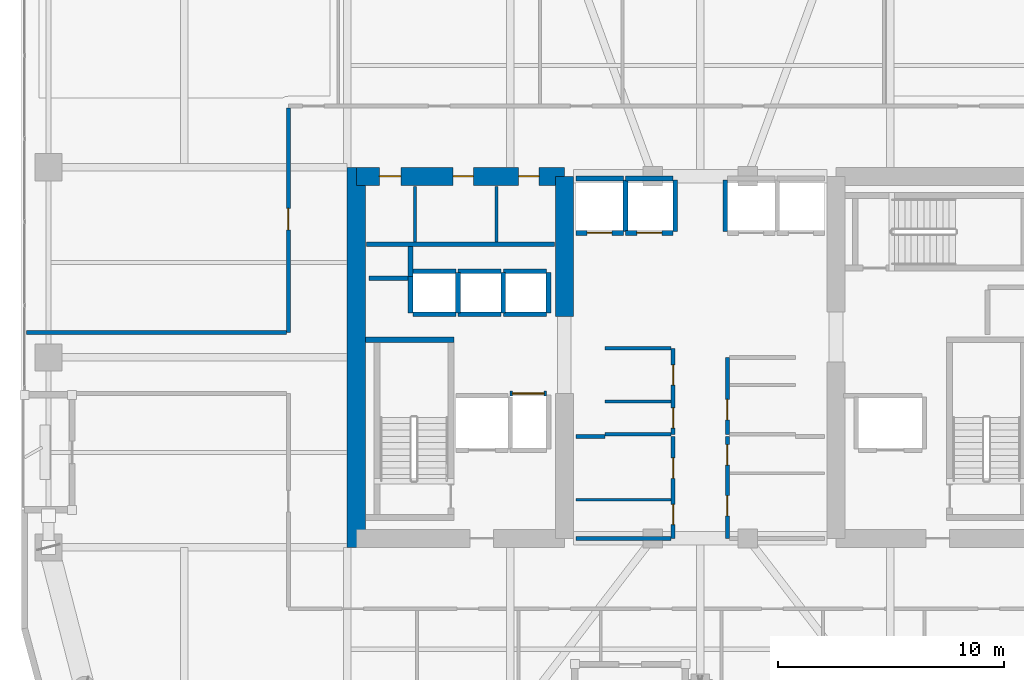
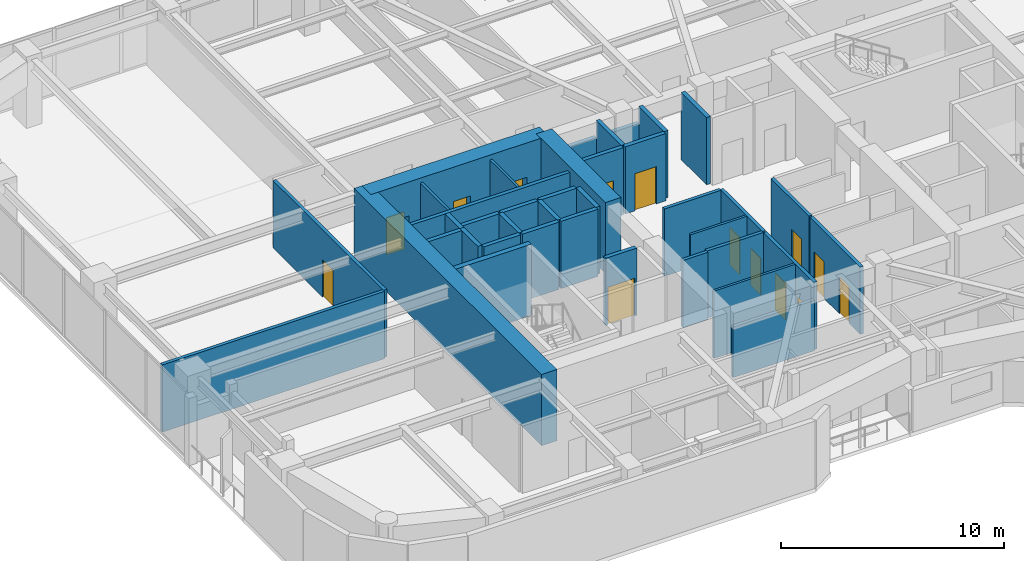
# One storey, part 25 of 30: 39 walls, 14 doors, 14 openings.
"""IFC4 building model written with IfcOpenShell, lengths in metres."""

from ifc_helpers import new_model, si_unit, direction, frame, frame_2d, origin, place, context, subcontext, project, spatial, rectangle, extrude, material, layer, layer_set, type_object, element, fill, save


model = new_model("IFC4")

# Units and contexts
model_context = context("Model", 3, precision=1e-05, world=origin(), true_north=direction((0.0, 1.0)))
body_context = subcontext(model_context, "Body", "Model", "MODEL_VIEW")
ifc_project = project(units=[si_unit("LENGTHUNIT", "METRE"), si_unit("AREAUNIT", "SQUARE_METRE"), si_unit("VOLUMEUNIT", "CUBIC_METRE"), si_unit("PLANEANGLEUNIT", "RADIAN"), si_unit("MASSUNIT", "GRAM", prefix="KILO")], contexts=[model_context])

# Site, building, storey
site_placement = place(None, origin())
site = spatial("IfcSite", under=ifc_project, at=site_placement, CompositionType="ELEMENT")
building_placement = place(site_placement, origin())
building = spatial("IfcBuilding", under=site, at=building_placement, Name="Kiyonajd Concourse Tower", CompositionType="ELEMENT")
storey_placement = place(building_placement, frame((0.0, 0.0, 166.199951171875)))
storey = spatial("IfcBuildingStorey", under=building, at=storey_placement, Name="L42", CompositionType="ELEMENT", Elevation=166.199951171875)

# Walls
ifc_material_1 = material(Name="Concrete C70/85", Category="concrete")
ifc_layer_1 = layer(ifc_material_1, 0.800048828125)
ifc_layer_set_1 = layer_set([ifc_layer_1], Name="Concrete C70/85")
wall_type_1 = type_object("IfcWallType", Name="WL-CORE-800", PredefinedType="SHEAR", material=ifc_layer_set_1)
wall_1_placement = place(storey_placement, frame((32.800048828125, 27.60009765625, 0.0), z_axis=(0.0, 0.0, 1.0), x_axis=(0.0, 1.0, 0.0)))
element("IfcWall", 1, at=wall_1_placement, inside=storey, type_object=wall_type_1, Name="L42 West Core Outer Shear Wall", PredefinedType="SHEAR", context=body_context, shape_type="SweptSolid", body=[
    extrude(rectangle(XDim=16.7998046875, YDim=0.800048828125, at=frame_2d((8.39990234375, 0.0))), origin(), (0.0, 0.0, 1.0), 3.900146484375),
])
wall_2_placement = place(storey_placement, frame((42.0, 37.800048828125, 0.0), z_axis=(0.0, 0.0, 1.0), x_axis=(0.0, 1.0, 0.0)))
element("IfcWall", 2, at=wall_2_placement, inside=storey, type_object=wall_type_1, Name="L42 West Core Inner North Shear Wall", PredefinedType="SHEAR", context=body_context, shape_type="SweptSolid", body=[
    extrude(rectangle(XDim=6.199951171875, YDim=0.800048828125, at=frame_2d((3.10009765625, 0.0))), origin(), (0.0, 0.0, 1.0), 3.900146484375),
])

# Wall, openings, doors
wall_3_placement = place(storey_placement, frame((32.800048828125, 44.0, 0.0), z_axis=(0.0, 0.0, 1.0), x_axis=(1.0, 0.0, 0.0)))
wall_3 = element("IfcWall", 3, at=wall_3_placement, inside=storey, type_object=wall_type_1, Name="L42 West Core North Shear Wall", PredefinedType="SHEAR", context=body_context, shape_type="SweptSolid", body=[
    extrude(rectangle(XDim=9.199951171875, YDim=0.800048828125, at=frame_2d((4.60009765625, 0.0))), origin(), (0.0, 0.0, 1.0), 3.900146484375),
])
opening_1_placement = place(wall_3_placement, frame((1.02490234375, 0.0, 0.0)))
opening_1 = element("IfcOpeningElement", 4, at=opening_1_placement, cuts=wall_3, Name="Opening DI1", PredefinedType="OPENING", context=body_context, shape_type="SweptSolid", body=[
    extrude(rectangle(XDim=0.949951171875, YDim=2.0400390625, at=frame_2d((0.47509765625, 1.02001953125))), frame((0.0, 0.409912109375, 0.0), z_axis=(0.0, -1.0, 0.0), x_axis=(1.0, 0.0, 0.0)), (0.0, 0.0, 1.0), 0.820068359375),
])
opening_2_placement = place(wall_3_placement, frame((4.27490234375, 0.0, 0.0)))
opening_2 = element("IfcOpeningElement", 5, at=opening_2_placement, cuts=wall_3, Name="Opening DI2", PredefinedType="OPENING", context=body_context, shape_type="SweptSolid", body=[
    extrude(rectangle(XDim=0.89990234375, YDim=2.02001953125, at=frame_2d((0.449951171875, 1.010009765625))), frame((0.0, 0.409912109375, 0.0), z_axis=(0.0, -1.0, 0.0), x_axis=(1.0, 0.0, 0.0)), (0.0, 0.0, 1.0), 0.820068359375),
])
opening_3_placement = place(wall_3_placement, frame((7.175048828125, 0.0, 0.0)))
opening_3 = element("IfcOpeningElement", 6, at=opening_3_placement, cuts=wall_3, Name="Opening DI2", PredefinedType="OPENING", context=body_context, shape_type="SweptSolid", body=[
    extrude(rectangle(XDim=0.89990234375, YDim=2.02001953125, at=frame_2d((0.449951171875, 1.010009765625))), frame((0.0, 0.409912109375, 0.0), z_axis=(0.0, -1.0, 0.0), x_axis=(1.0, 0.0, 0.0)), (0.0, 0.0, 1.0), 0.820068359375),
])
ifc_material_2 = material(Name="Natural Oak Acoustic Timber Veneer", Category="wood")
door_type_1 = type_object("IfcDoorType", Name="DR-INT-900", OperationType="NOTDEFINED", PredefinedType="DOOR", material=ifc_material_2)
door_1_placement = place(opening_2_placement, origin())
door_1 = element("IfcDoor", 7, at=door_1_placement, inside=storey, type_object=door_type_1, Name="L42 Male Restroom Door", OperationType="SINGLE_SWING_RIGHT", OverallHeight=2.02001953125, OverallWidth=0.89990234375, PredefinedType="DOOR", context=body_context, shape_type="SweptSolid", body=[
    extrude(rectangle(XDim=0.89990234375, YDim=2.02001953125, at=frame_2d((0.449951171875, 1.010009765625))), frame((0.0, 0.02490234375, 0.0), z_axis=(0.0, -1.0, 0.0), x_axis=(1.0, 0.0, 0.0)), (0.0, 0.0, 1.0), 0.050048828125),
])
fill(opening_2, door_1)
door_2_placement = place(opening_3_placement, origin())
door_2 = element("IfcDoor", 8, at=door_2_placement, inside=storey, type_object=door_type_1, Name="L42 Female Restroom Door", OperationType="SINGLE_SWING_LEFT", OverallHeight=2.02001953125, OverallWidth=0.89990234375, PredefinedType="DOOR", context=body_context, shape_type="SweptSolid", body=[
    extrude(rectangle(XDim=0.89990234375, YDim=2.02001953125, at=frame_2d((0.449951171875, 1.010009765625))), frame((0.0, 0.02490234375, 0.0), z_axis=(0.0, -1.0, 0.0), x_axis=(1.0, 0.0, 0.0)), (0.0, 0.0, 1.0), 0.050048828125),
])
fill(opening_3, door_2)
door_type_2 = type_object("IfcDoorType", Name="DR-INT-950", OperationType="NOTDEFINED", PredefinedType="DOOR", material=ifc_material_2)
door_3_placement = place(opening_1_placement, origin())
door_3 = element("IfcDoor", 9, at=door_3_placement, inside=storey, type_object=door_type_2, Name="L42 Single User Accessible WC Door", OperationType="SINGLE_SWING_LEFT", OverallHeight=2.0400390625, OverallWidth=0.949951171875, PredefinedType="DOOR", context=body_context, shape_type="SweptSolid", body=[
    extrude(rectangle(XDim=0.949951171875, YDim=2.0400390625, at=frame_2d((0.47509765625, 1.02001953125))), frame((0.0, 0.02490234375, 0.0), z_axis=(0.0, -1.0, 0.0), x_axis=(1.0, 0.0, 0.0)), (0.0, 0.0, 1.0), 0.050048828125),
])
fill(opening_1, door_3)

# Walls
ifc_material_3 = material(Name="Gypsum Board on Cold-Formed Steel Stud", Category="steel")
ifc_layer_2 = layer(ifc_material_3, 0.125)
ifc_layer_set_2 = layer_set([ifc_layer_2], Name="Gypsum Board on Cold-Formed Steel Stud")
wall_type_2 = type_object("IfcWallType", Name="WL-PART-125", PredefinedType="PARTITIONING", material=ifc_layer_set_2)
for number, where, z_axis, x_axis, name in (
    (10, (35.39990234375, 41.094970703125, 0.0), (0.0, 0.0, 1.0), (0.0, 1.0, 0.0), "L42 Interior Partition Wall"),
    (11, (39.0, 41.094970703125, 0.0), (0.0, 0.0, 1.0), (0.0, 1.0, 0.0), "L42 Interior Partition Wall"),
):
    element("IfcWall", number, at=place(storey_placement, frame(where, z_axis=z_axis, x_axis=x_axis)), inside=storey, type_object=wall_type_2, Name=name, PredefinedType="PARTITIONING", context=body_context, shape_type="SweptSolid", body=[
        extrude(rectangle(XDim=2.455078125, YDim=0.125, at=frame_2d((1.2275390625, 0.0))), origin(), (0.0, 0.0, 1.0), 3.679931640625),
    ])
wall_4_placement = place(storey_placement, frame((43.800048828125, 34.0439453125, 0.0), z_axis=(0.0, 0.0, 1.0), x_axis=(1.0, 0.0, 0.0)))
element("IfcWall", 12, at=wall_4_placement, inside=storey, type_object=wall_type_2, Name="L42 Interior Partition Wall", PredefinedType="PARTITIONING", context=body_context, shape_type="SweptSolid", body=[
    extrude(rectangle(XDim=2.912841796875, YDim=0.125, at=frame_2d((1.45654296875, 0.0))), origin(), (0.0, 0.0, 1.0), 3.679931640625),
])
wall_5_placement = place(storey_placement, frame((42.5, 29.7099609375, 0.0), z_axis=(0.0, 0.0, 1.0), x_axis=(1.0, 0.0, 0.0)))
element("IfcWall", 13, at=wall_5_placement, inside=storey, type_object=wall_type_2, Name="L42 Interior Partition Wall", PredefinedType="PARTITIONING", context=body_context, shape_type="SweptSolid", body=[
    extrude(rectangle(XDim=4.212890625, YDim=0.125, at=frame_2d((2.1064453125, 0.0))), origin(), (0.0, 0.0, 1.0), 3.679931640625),
])
ifc_layer_3 = layer(ifc_material_3, 0.18994140625)
ifc_layer_set_3 = layer_set([ifc_layer_3], Name="Gypsum Board on Cold-Formed Steel Stud")
wall_type_3 = type_object("IfcWallType", Name="WL-PLMB-190", PredefinedType="PLUMBINGWALL", material=ifc_layer_set_3)
wall_6_placement = place(storey_placement, frame((33.25, 41.0, 0.0), z_axis=(0.0, 0.0, 1.0), x_axis=(1.0, 0.0, 0.0)))
element("IfcWall", 14, at=wall_6_placement, inside=storey, type_object=wall_type_3, Name="L42 Interior Partition Wall", PredefinedType="PLUMBINGWALL", context=body_context, shape_type="SweptSolid", body=[
    extrude(rectangle(XDim=8.300048828125, YDim=0.18994140625, at=frame_2d((4.14990234375, 0.0))), origin(), (0.0, 0.0, 1.0), 3.679931640625),
])
ifc_layer_4 = layer(ifc_material_3, 0.2099609375)
ifc_layer_set_4 = layer_set([ifc_layer_4], Name="Gypsum Board on Cold-Formed Steel Stud")
wall_type_4 = type_object("IfcWallType", Name="WL-SHAFT-210", PredefinedType="PARTITIONING", material=ifc_layer_set_4)
wall_7_placement = place(storey_placement, frame((33.360107421875, 39.5, 0.0), z_axis=(0.0, 0.0, 1.0), x_axis=(1.0, 0.0, 0.0)))
element("IfcWall", 15, at=wall_7_placement, inside=storey, type_object=wall_type_4, Name="L42 Shaft Enclosure Wall", PredefinedType="PARTITIONING", context=body_context, shape_type="SweptSolid", body=[
    extrude(rectangle(XDim=1.85986328125, YDim=0.2099609375, at=frame_2d((0.929931640625, 0.0))), origin(), (0.0, 0.0, 1.0), 3.679931640625),
])
wall_8_placement = place(storey_placement, frame((35.199951171875, 39.580078125, 0.0), z_axis=(0.0, 0.0, 1.0), x_axis=(0.0, 1.0, 0.0)))
element("IfcWall", 16, at=wall_8_placement, inside=storey, type_object=wall_type_4, Name="L42 Shaft Enclosure Wall", PredefinedType="PARTITIONING", context=body_context, shape_type="SweptSolid", body=[
    extrude(rectangle(XDim=1.31982421875, YDim=0.2099609375, at=frame_2d((0.659912109375, 0.0))), origin(), (0.0, 0.0, 1.0), 3.679931640625),
])

# Wall, opening, door
wall_9_placement = place(storey_placement, frame((39.60009765625, 34.39990234375, 0.0), z_axis=(0.0, 0.0, 1.0), x_axis=(1.0, 0.0, 0.0)))
wall_9 = element("IfcWall", 17, at=wall_9_placement, inside=storey, type_object=wall_type_4, Name="L42 Shaft Enclosure Wall", PredefinedType="PARTITIONING", context=body_context, shape_type="SweptSolid", body=[
    extrude(rectangle(XDim=1.599853515625, YDim=0.2099609375, at=frame_2d((0.7998046875, 0.0))), origin(), (0.0, 0.0, 1.0), 3.679931640625),
])
opening_4_placement = place(wall_9_placement, frame((0.10009765625, 0.0, 0.0)))
opening_4 = element("IfcOpeningElement", 18, at=opening_4_placement, cuts=wall_9, Name="Opening LD3", PredefinedType="OPENING", context=body_context, shape_type="SweptSolid", body=[
    extrude(rectangle(XDim=1.39990234375, YDim=2.06005859375, at=frame_2d((0.699951171875, 1.030029296875))), frame((0.0, 0.114990234375, 0.0), z_axis=(0.0, -1.0, 0.0), x_axis=(1.0, 0.0, 0.0)), (0.0, 0.0, 1.0), 0.22998046875),
])
ifc_material_4 = material(Name="Brushed Stainless Steel Cab Assembly", Category="steel")
door_type_3 = type_object("IfcDoorType", Name="DR-LD-1400", OperationType="DOUBLE_DOOR_SLIDING", PredefinedType="DOOR", material=ifc_material_4)
door_4_placement = place(opening_4_placement, origin())
door_4 = element("IfcDoor", 19, at=door_4_placement, inside=storey, type_object=door_type_3, Name="L42 Lift SVL1 Sliding Landing Door", OperationType="DOUBLE_DOOR_SLIDING", OverallHeight=2.06005859375, OverallWidth=1.39990234375, PredefinedType="DOOR", context=body_context, shape_type="SweptSolid", body=[
    extrude(rectangle(XDim=1.39990234375, YDim=2.06005859375, at=frame_2d((0.699951171875, 1.030029296875))), frame((0.0, 0.02490234375, 0.0), z_axis=(0.0, -1.0, 0.0), x_axis=(1.0, 0.0, 0.0)), (0.0, 0.0, 1.0), 0.050048828125),
])
fill(opening_4, door_4)

wall_10_placement = place(storey_placement, frame((42.5, 41.5, 0.0), z_axis=(0.0, 0.0, 1.0), x_axis=(1.0, 0.0, 0.0)))
wall_10 = element("IfcWall", 20, at=wall_10_placement, inside=storey, type_object=wall_type_4, Name="L42 Shaft Enclosure Wall", PredefinedType="PARTITIONING", context=body_context, shape_type="SweptSolid", body=[
    extrude(rectangle(XDim=2.10009765625, YDim=0.2099609375, at=frame_2d((1.050048828125, 0.0))), origin(), (0.0, 0.0, 1.0), 3.679931640625),
])
opening_5_placement = place(wall_10_placement, frame((0.5, 0.0, 0.0)))
opening_5 = element("IfcOpeningElement", 21, at=opening_5_placement, cuts=wall_10, Name="Opening LD1", PredefinedType="OPENING", context=body_context, shape_type="SweptSolid", body=[
    extrude(rectangle(XDim=1.10009765625, YDim=2.0400390625, at=frame_2d((0.550048828125, 1.02001953125))), frame((0.0, 0.114990234375, 0.0), z_axis=(0.0, -1.0, 0.0), x_axis=(1.0, 0.0, 0.0)), (0.0, 0.0, 1.0), 0.22998046875),
])
door_type_4 = type_object("IfcDoorType", Name="DR-LD-1100", OperationType="DOUBLE_DOOR_SLIDING", PredefinedType="DOOR", material=ifc_material_4)
door_5_placement = place(opening_5_placement, origin())
door_5 = element("IfcDoor", 22, at=door_5_placement, inside=storey, type_object=door_type_4, Name="L42 Lift PL-M1 Sliding Landing Door", OperationType="DOUBLE_DOOR_SLIDING", OverallHeight=2.0400390625, OverallWidth=1.10009765625, PredefinedType="DOOR", context=body_context, shape_type="SweptSolid", body=[
    extrude(rectangle(XDim=1.10009765625, YDim=2.0400390625, at=frame_2d((0.550048828125, 1.02001953125))), frame((0.0, 0.02490234375, 0.0), z_axis=(0.0, -1.0, 0.0), x_axis=(1.0, 0.0, 0.0)), (0.0, 0.0, 1.0), 0.050048828125),
])
fill(opening_5, door_5)

# Walls
wall_11_placement = place(storey_placement, frame((42.5, 43.89990234375, 0.0), z_axis=(0.0, 0.0, 1.0), x_axis=(1.0, 0.0, 0.0)))
element("IfcWall", 23, at=wall_11_placement, inside=storey, type_object=wall_type_4, Name="L42 Shaft Enclosure Wall", PredefinedType="PARTITIONING", context=body_context, shape_type="SweptSolid", body=[
    extrude(rectangle(XDim=2.10009765625, YDim=0.2099609375, at=frame_2d((1.050048828125, 0.0))), origin(), (0.0, 0.0, 1.0), 2.76513671875),
])
wall_12_placement = place(storey_placement, frame((44.699951171875, 41.56005859375, 0.0), z_axis=(0.0, 0.0, 1.0), x_axis=(0.0, 1.0, 0.0)))
element("IfcWall", 24, at=wall_12_placement, inside=storey, type_object=wall_type_4, Name="L42 Shaft Enclosure Wall", PredefinedType="PARTITIONING", context=body_context, shape_type="SweptSolid", body=[
    extrude(rectangle(XDim=2.280029296875, YDim=0.2099609375, at=frame_2d((1.14013671875, 0.0))), origin(), (0.0, 0.0, 1.0), 3.679931640625),
])

# Wall, opening, door
wall_13_placement = place(storey_placement, frame((44.699951171875, 41.5, 0.0), z_axis=(0.0, 0.0, 1.0), x_axis=(1.0, 0.0, 0.0)))
wall_13 = element("IfcWall", 25, at=wall_13_placement, inside=storey, type_object=wall_type_4, Name="L42 Shaft Enclosure Wall", PredefinedType="PARTITIONING", context=body_context, shape_type="SweptSolid", body=[
    extrude(rectangle(XDim=2.10009765625, YDim=0.2099609375, at=frame_2d((1.050048828125, 0.0))), origin(), (0.0, 0.0, 1.0), 3.679931640625),
])
opening_6_placement = place(wall_13_placement, frame((0.5, 0.0, 0.0)))
opening_6 = element("IfcOpeningElement", 26, at=opening_6_placement, cuts=wall_13, Name="Opening LD1", PredefinedType="OPENING", context=body_context, shape_type="SweptSolid", body=[
    extrude(rectangle(XDim=1.10009765625, YDim=2.0400390625, at=frame_2d((0.550048828125, 1.02001953125))), frame((0.0, 0.114990234375, 0.0), z_axis=(0.0, -1.0, 0.0), x_axis=(1.0, 0.0, 0.0)), (0.0, 0.0, 1.0), 0.22998046875),
])
door_6_placement = place(opening_6_placement, origin())
door_6 = element("IfcDoor", 27, at=door_6_placement, inside=storey, type_object=door_type_4, Name="L42 Lift PL-M2 Sliding Landing Door", OperationType="DOUBLE_DOOR_SLIDING", OverallHeight=2.0400390625, OverallWidth=1.10009765625, PredefinedType="DOOR", context=body_context, shape_type="SweptSolid", body=[
    extrude(rectangle(XDim=1.10009765625, YDim=2.0400390625, at=frame_2d((0.550048828125, 1.02001953125))), frame((0.0, 0.02490234375, 0.0), z_axis=(0.0, -1.0, 0.0), x_axis=(1.0, 0.0, 0.0)), (0.0, 0.0, 1.0), 0.050048828125),
])
fill(opening_6, door_6)

# Walls
wall_14_placement = place(storey_placement, frame((44.699951171875, 43.89990234375, 0.0), z_axis=(0.0, 0.0, 1.0), x_axis=(1.0, 0.0, 0.0)))
element("IfcWall", 28, at=wall_14_placement, inside=storey, type_object=wall_type_4, Name="L42 Shaft Enclosure Wall", PredefinedType="PARTITIONING", context=body_context, shape_type="SweptSolid", body=[
    extrude(rectangle(XDim=2.10009765625, YDim=0.2099609375, at=frame_2d((1.050048828125, 0.0))), origin(), (0.0, 0.0, 1.0), 2.76513671875),
])
for number, where, z_axis, x_axis, name in (
    (29, (46.89990234375, 41.56005859375, 0.0), (0.0, 0.0, 1.0), (0.0, 1.0, 0.0), "L42 Shaft Enclosure Wall"),
    (30, (49.10009765625, 41.56005859375, 0.0), (0.0, 0.0, 1.0), (0.0, 1.0, 0.0), "L42 Shaft Enclosure Wall"),
):
    element("IfcWall", number, at=place(storey_placement, frame(where, z_axis=z_axis, x_axis=x_axis)), inside=storey, type_object=wall_type_4, Name=name, PredefinedType="PARTITIONING", context=body_context, shape_type="SweptSolid", body=[
        extrude(rectangle(XDim=2.280029296875, YDim=0.2099609375, at=frame_2d((1.14013671875, 0.0))), origin(), (0.0, 0.0, 1.0), 3.679931640625),
    ])
for number, where, z_axis, x_axis, name in (
    (31, (35.300048828125, 37.89990234375, 0.0), (0.0, 0.0, 1.0), (1.0, 0.0, 0.0), "L42 Shaft Enclosure Wall"),
    (32, (35.300048828125, 39.800048828125, 0.0), (0.0, 0.0, 1.0), (1.0, 0.0, 0.0), "L42 Shaft Enclosure Wall"),
):
    element("IfcWall", number, at=place(storey_placement, frame(where, z_axis=z_axis, x_axis=x_axis)), inside=storey, type_object=wall_type_4, Name=name, PredefinedType="PARTITIONING", context=body_context, shape_type="SweptSolid", body=[
        extrude(rectangle(XDim=1.89990234375, YDim=0.2099609375, at=frame_2d((0.949951171875, 0.0))), origin(), (0.0, 0.0, 1.0), 3.679931640625),
    ])
wall_15_placement = place(storey_placement, frame((35.199951171875, 37.9599609375, 0.0), z_axis=(0.0, 0.0, 1.0), x_axis=(0.0, 1.0, 0.0)))
element("IfcWall", 33, at=wall_15_placement, inside=storey, type_object=wall_type_4, Name="L42 Shaft Enclosure Wall", PredefinedType="PARTITIONING", context=body_context, shape_type="SweptSolid", body=[
    extrude(rectangle(XDim=1.6201171875, YDim=0.2099609375, at=frame_2d((0.81005859375, 0.0))), origin(), (0.0, 0.0, 1.0), 3.679931640625),
])
wall_16_placement = place(storey_placement, frame((37.300048828125, 37.9599609375, 0.0), z_axis=(0.0, 0.0, 1.0), x_axis=(0.0, 1.0, 0.0)))
element("IfcWall", 34, at=wall_16_placement, inside=storey, type_object=wall_type_4, Name="L42 Shaft Enclosure Wall", PredefinedType="PARTITIONING", context=body_context, shape_type="SweptSolid", body=[
    extrude(rectangle(XDim=1.780029296875, YDim=0.2099609375, at=frame_2d((0.89013671875, 0.0))), origin(), (0.0, 0.0, 1.0), 3.679931640625),
])
for number, where, z_axis, x_axis, name in (
    (35, (37.300048828125, 37.89990234375, 0.0), (0.0, 0.0, 1.0), (1.0, 0.0, 0.0), "L42 Shaft Enclosure Wall"),
    (36, (37.300048828125, 39.800048828125, 0.0), (0.0, 0.0, 1.0), (1.0, 0.0, 0.0), "L42 Shaft Enclosure Wall"),
):
    element("IfcWall", number, at=place(storey_placement, frame(where, z_axis=z_axis, x_axis=x_axis)), inside=storey, type_object=wall_type_4, Name=name, PredefinedType="PARTITIONING", context=body_context, shape_type="SweptSolid", body=[
        extrude(rectangle(XDim=1.89990234375, YDim=0.2099609375, at=frame_2d((0.949951171875, 0.0))), origin(), (0.0, 0.0, 1.0), 3.679931640625),
    ])
wall_17_placement = place(storey_placement, frame((39.300048828125, 37.9599609375, 0.0), z_axis=(0.0, 0.0, 1.0), x_axis=(0.0, 1.0, 0.0)))
element("IfcWall", 37, at=wall_17_placement, inside=storey, type_object=wall_type_4, Name="L42 Shaft Enclosure Wall", PredefinedType="PARTITIONING", context=body_context, shape_type="SweptSolid", body=[
    extrude(rectangle(XDim=1.780029296875, YDim=0.2099609375, at=frame_2d((0.89013671875, 0.0))), origin(), (0.0, 0.0, 1.0), 3.679931640625),
])
for number, where, z_axis, x_axis, name in (
    (38, (39.300048828125, 37.89990234375, 0.0), (0.0, 0.0, 1.0), (1.0, 0.0, 0.0), "L42 Shaft Enclosure Wall"),
    (39, (39.300048828125, 39.800048828125, 0.0), (0.0, 0.0, 1.0), (1.0, 0.0, 0.0), "L42 Shaft Enclosure Wall"),
):
    element("IfcWall", number, at=place(storey_placement, frame(where, z_axis=z_axis, x_axis=x_axis)), inside=storey, type_object=wall_type_4, Name=name, PredefinedType="PARTITIONING", context=body_context, shape_type="SweptSolid", body=[
        extrude(rectangle(XDim=1.89990234375, YDim=0.2099609375, at=frame_2d((0.949951171875, 0.0))), origin(), (0.0, 0.0, 1.0), 3.679931640625),
    ])
wall_18_placement = place(storey_placement, frame((41.300048828125, 37.9599609375, 0.0), z_axis=(0.0, 0.0, 1.0), x_axis=(0.0, 1.0, 0.0)))
element("IfcWall", 40, at=wall_18_placement, inside=storey, type_object=wall_type_4, Name="L42 Shaft Enclosure Wall", PredefinedType="PARTITIONING", context=body_context, shape_type="SweptSolid", body=[
    extrude(rectangle(XDim=1.780029296875, YDim=0.2099609375, at=frame_2d((0.89013671875, 0.0))), origin(), (0.0, 0.0, 1.0), 3.679931640625),
])

# Wall, openings, doors
ifc_layer_5 = layer(ifc_material_3, 0.169921875)
ifc_layer_set_5 = layer_set([ifc_layer_5], Name="Gypsum Board on Cold-Formed Steel Stud")
wall_type_5 = type_object("IfcWallType", Name="WL-SMK-170", PredefinedType="PARTITIONING", material=ifc_layer_set_5)
wall_19_placement = place(storey_placement, frame((46.800048828125, 32.60009765625, 0.0), z_axis=(0.0, 0.0, 1.0), x_axis=(0.0, 1.0, 0.0)))
wall_19 = element("IfcWall", 41, at=wall_19_placement, inside=storey, type_object=wall_type_5, Name="L42 Interior Partition Wall", PredefinedType="PARTITIONING", context=body_context, shape_type="SweptSolid", body=[
    extrude(rectangle(XDim=3.7998046875, YDim=0.169921875, at=frame_2d((1.89990234375, 0.0))), origin(), (0.0, 0.0, 1.0), 3.679931640625),
])
opening_7_placement = place(wall_19_placement, frame((0.27197265625, 0.0, 0.0)))
opening_7 = element("IfcOpeningElement", 42, at=opening_7_placement, cuts=wall_19, Name="Opening DI2", PredefinedType="OPENING", context=body_context, shape_type="SweptSolid", body=[
    extrude(rectangle(XDim=0.89990234375, YDim=2.02001953125, at=frame_2d((0.449951171875, 1.010009765625))), frame((0.0, 0.094970703125, 0.0), z_axis=(0.0, -1.0, 0.0), x_axis=(1.0, 0.0, 0.0)), (0.0, 0.0, 1.0), 0.18994140625),
])
opening_8_placement = place(wall_19_placement, frame((2.172119140625, 0.0, 0.0)))
opening_8 = element("IfcOpeningElement", 43, at=opening_8_placement, cuts=wall_19, Name="Opening DI2", PredefinedType="OPENING", context=body_context, shape_type="SweptSolid", body=[
    extrude(rectangle(XDim=0.89990234375, YDim=2.02001953125, at=frame_2d((0.449951171875, 1.010009765625))), frame((0.0, 0.094970703125, 0.0), z_axis=(0.0, -1.0, 0.0), x_axis=(1.0, 0.0, 0.0)), (0.0, 0.0, 1.0), 0.18994140625),
])
door_7_placement = place(opening_7_placement, origin())
door_7 = element("IfcDoor", 44, at=door_7_placement, inside=storey, type_object=door_type_1, Name="L42 Interior Door", OperationType="SINGLE_SWING_RIGHT", OverallHeight=2.02001953125, OverallWidth=0.89990234375, PredefinedType="DOOR", context=body_context, shape_type="SweptSolid", body=[
    extrude(rectangle(XDim=0.89990234375, YDim=2.02001953125, at=frame_2d((0.449951171875, 1.010009765625))), frame((0.0, 0.02490234375, 0.0), z_axis=(0.0, -1.0, 0.0), x_axis=(1.0, 0.0, 0.0)), (0.0, 0.0, 1.0), 0.050048828125),
])
fill(opening_7, door_7)
door_8_placement = place(opening_8_placement, origin())
door_8 = element("IfcDoor", 45, at=door_8_placement, inside=storey, type_object=door_type_1, Name="L42 Interior Door", OperationType="SINGLE_SWING_LEFT", OverallHeight=2.02001953125, OverallWidth=0.89990234375, PredefinedType="DOOR", context=body_context, shape_type="SweptSolid", body=[
    extrude(rectangle(XDim=0.89990234375, YDim=2.02001953125, at=frame_2d((0.449951171875, 1.010009765625))), frame((0.0, 0.02490234375, 0.0), z_axis=(0.0, -1.0, 0.0), x_axis=(1.0, 0.0, 0.0)), (0.0, 0.0, 1.0), 0.050048828125),
])
fill(opening_8, door_8)

# Walls
for number, where, z_axis, x_axis, name in (
    (46, (43.800048828125, 32.60009765625, 0.0), (0.0, 0.0, 1.0), (1.0, 0.0, 0.0), "L42 Interior Partition Wall"),
    (47, (43.800048828125, 36.39990234375, 0.0), (0.0, 0.0, 1.0), (1.0, 0.0, 0.0), "L42 Interior Partition Wall"),
):
    element("IfcWall", number, at=place(storey_placement, frame(where, z_axis=z_axis, x_axis=x_axis)), inside=storey, type_object=wall_type_5, Name=name, PredefinedType="PARTITIONING", context=body_context, shape_type="SweptSolid", body=[
        extrude(rectangle(XDim=2.912841796875, YDim=0.169921875, at=frame_2d((1.45654296875, 0.0))), origin(), (0.0, 0.0, 1.0), 3.679931640625),
    ])

# Wall, opening, door
wall_20_placement = place(storey_placement, frame((49.199951171875, 32.60009765625, 0.0), z_axis=(0.0, 0.0, 1.0), x_axis=(0.0, 1.0, 0.0)))
wall_20 = element("IfcWall", 48, at=wall_20_placement, inside=storey, type_object=wall_type_5, Name="L42 Interior Partition Wall", PredefinedType="PARTITIONING", context=body_context, shape_type="SweptSolid", body=[
    extrude(rectangle(XDim=3.39990234375, YDim=0.169921875, at=frame_2d((1.699951171875, 0.0))), origin(), (0.0, 0.0, 1.0), 3.679931640625),
])
opening_9_placement = place(wall_20_placement, frame((0.637939453125, 0.0, 0.0)))
opening_9 = element("IfcOpeningElement", 49, at=opening_9_placement, cuts=wall_20, Name="Opening DF4", PredefinedType="OPENING", context=body_context, shape_type="SweptSolid", body=[
    extrude(rectangle(XDim=0.89990234375, YDim=2.02001953125, at=frame_2d((0.449951171875, 1.010009765625))), frame((0.0, 0.094970703125, 0.0), z_axis=(0.0, -1.0, 0.0), x_axis=(1.0, 0.0, 0.0)), (0.0, 0.0, 1.0), 0.18994140625),
])
door_type_5 = type_object("IfcDoorType", Name="DR-FD60-900", OperationType="NOTDEFINED", PredefinedType="DOOR", material=ifc_material_4)
door_9_placement = place(opening_9_placement, origin())
door_9 = element("IfcDoor", 50, at=door_9_placement, inside=storey, type_object=door_type_5, Name="L42 Interior Door", OperationType="SINGLE_SWING_RIGHT", OverallHeight=2.02001953125, OverallWidth=0.89990234375, PredefinedType="DOOR", context=body_context, shape_type="SweptSolid", body=[
    extrude(rectangle(XDim=0.89990234375, YDim=2.02001953125, at=frame_2d((0.449951171875, 1.010009765625))), frame((0.0, 0.02490234375, 0.0), z_axis=(0.0, -1.0, 0.0), x_axis=(1.0, 0.0, 0.0)), (0.0, 0.0, 1.0), 0.050048828125),
])
fill(opening_9, door_9)

# Wall, openings, doors
wall_21_placement = place(storey_placement, frame((46.800048828125, 28.0, 0.0), z_axis=(0.0, 0.0, 1.0), x_axis=(0.0, 1.0, 0.0)))
wall_21 = element("IfcWall", 51, at=wall_21_placement, inside=storey, type_object=wall_type_5, Name="L42 Interior Partition Wall", PredefinedType="PARTITIONING", context=body_context, shape_type="SweptSolid", body=[
    extrude(rectangle(XDim=4.5, YDim=0.169921875, at=frame_2d((2.25, 0.0))), origin(), (0.0, 0.0, 1.0), 3.679931640625),
])
opening_10_placement = place(wall_21_placement, frame((0.60498046875, 0.0, 0.0)))
opening_10 = element("IfcOpeningElement", 52, at=opening_10_placement, cuts=wall_21, Name="Opening DI2", PredefinedType="OPENING", context=body_context, shape_type="SweptSolid", body=[
    extrude(rectangle(XDim=0.89990234375, YDim=2.02001953125, at=frame_2d((0.449951171875, 1.010009765625))), frame((0.0, 0.094970703125, 0.0), z_axis=(0.0, -1.0, 0.0), x_axis=(1.0, 0.0, 0.0)), (0.0, 0.0, 1.0), 0.18994140625),
])
opening_11_placement = place(wall_21_placement, frame((2.655029296875, 0.0, 0.0)))
opening_11 = element("IfcOpeningElement", 53, at=opening_11_placement, cuts=wall_21, Name="Opening DI2", PredefinedType="OPENING", context=body_context, shape_type="SweptSolid", body=[
    extrude(rectangle(XDim=0.89990234375, YDim=2.02001953125, at=frame_2d((0.449951171875, 1.010009765625))), frame((0.0, 0.094970703125, 0.0), z_axis=(0.0, -1.0, 0.0), x_axis=(1.0, 0.0, 0.0)), (0.0, 0.0, 1.0), 0.18994140625),
])
door_10_placement = place(opening_10_placement, origin())
door_10 = element("IfcDoor", 54, at=door_10_placement, inside=storey, type_object=door_type_1, Name="L42 Interior Door", OperationType="SINGLE_SWING_LEFT", OverallHeight=2.02001953125, OverallWidth=0.89990234375, PredefinedType="DOOR", context=body_context, shape_type="SweptSolid", body=[
    extrude(rectangle(XDim=0.89990234375, YDim=2.02001953125, at=frame_2d((0.449951171875, 1.010009765625))), frame((0.0, 0.02490234375, 0.0), z_axis=(0.0, -1.0, 0.0), x_axis=(1.0, 0.0, 0.0)), (0.0, 0.0, 1.0), 0.050048828125),
])
fill(opening_10, door_10)
door_11_placement = place(opening_11_placement, origin())
door_11 = element("IfcDoor", 55, at=door_11_placement, inside=storey, type_object=door_type_1, Name="L42 Interior Door", OperationType="SINGLE_SWING_RIGHT", OverallHeight=2.02001953125, OverallWidth=0.89990234375, PredefinedType="DOOR", context=body_context, shape_type="SweptSolid", body=[
    extrude(rectangle(XDim=0.89990234375, YDim=2.02001953125, at=frame_2d((0.449951171875, 1.010009765625))), frame((0.0, 0.02490234375, 0.0), z_axis=(0.0, -1.0, 0.0), x_axis=(1.0, 0.0, 0.0)), (0.0, 0.0, 1.0), 0.050048828125),
])
fill(opening_11, door_11)

# Walls
wall_22_placement = place(storey_placement, frame((42.5, 28.0, 0.0), z_axis=(0.0, 0.0, 1.0), x_axis=(1.0, 0.0, 0.0)))
element("IfcWall", 56, at=wall_22_placement, inside=storey, type_object=wall_type_5, Name="L42 Interior Partition Wall", PredefinedType="PARTITIONING", context=body_context, shape_type="SweptSolid", body=[
    extrude(rectangle(XDim=4.212890625, YDim=0.169921875, at=frame_2d((2.1064453125, 0.0))), origin(), (0.0, 0.0, 1.0), 2.76513671875),
])
wall_23_placement = place(storey_placement, frame((42.5, 32.5, 0.0), z_axis=(0.0, 0.0, 1.0), x_axis=(1.0, 0.0, 0.0)))
element("IfcWall", 57, at=wall_23_placement, inside=storey, type_object=wall_type_5, Name="L42 Interior Partition Wall", PredefinedType="PARTITIONING", context=body_context, shape_type="SweptSolid", body=[
    extrude(rectangle(XDim=1.300048828125, YDim=0.169921875, at=frame_2d((0.64990234375, 0.0))), origin(), (0.0, 0.0, 1.0), 3.679931640625),
])

# Wall, openings, doors
wall_24_placement = place(storey_placement, frame((49.199951171875, 28.0, 0.0), z_axis=(0.0, 0.0, 1.0), x_axis=(0.0, 1.0, 0.0)))
wall_24 = element("IfcWall", 58, at=wall_24_placement, inside=storey, type_object=wall_type_5, Name="L42 Interior Partition Wall", PredefinedType="PARTITIONING", context=body_context, shape_type="SweptSolid", body=[
    extrude(rectangle(XDim=4.5, YDim=0.169921875, at=frame_2d((2.25, 0.0))), origin(), (0.0, 0.0, 1.0), 3.679931640625),
])
opening_12_placement = place(wall_24_placement, frame((0.989990234375, 0.0, 0.0)))
opening_12 = element("IfcOpeningElement", 59, at=opening_12_placement, cuts=wall_24, Name="Opening DF4", PredefinedType="OPENING", context=body_context, shape_type="SweptSolid", body=[
    extrude(rectangle(XDim=0.89990234375, YDim=2.02001953125, at=frame_2d((0.449951171875, 1.010009765625))), frame((0.0, 0.094970703125, 0.0), z_axis=(0.0, -1.0, 0.0), x_axis=(1.0, 0.0, 0.0)), (0.0, 0.0, 1.0), 0.18994140625),
])
opening_13_placement = place(wall_24_placement, frame((3.239990234375, 0.0, 0.0)))
opening_13 = element("IfcOpeningElement", 60, at=opening_13_placement, cuts=wall_24, Name="Opening DF4", PredefinedType="OPENING", context=body_context, shape_type="SweptSolid", body=[
    extrude(rectangle(XDim=0.89990234375, YDim=2.02001953125, at=frame_2d((0.449951171875, 1.010009765625))), frame((0.0, 0.094970703125, 0.0), z_axis=(0.0, -1.0, 0.0), x_axis=(1.0, 0.0, 0.0)), (0.0, 0.0, 1.0), 0.18994140625),
])
door_12_placement = place(opening_12_placement, origin())
door_12 = element("IfcDoor", 61, at=door_12_placement, inside=storey, type_object=door_type_5, Name="L42 Interior Door", OperationType="SINGLE_SWING_LEFT", OverallHeight=2.02001953125, OverallWidth=0.89990234375, PredefinedType="DOOR", context=body_context, shape_type="SweptSolid", body=[
    extrude(rectangle(XDim=0.89990234375, YDim=2.02001953125, at=frame_2d((0.449951171875, 1.010009765625))), frame((0.0, 0.02490234375, 0.0), z_axis=(0.0, -1.0, 0.0), x_axis=(1.0, 0.0, 0.0)), (0.0, 0.0, 1.0), 0.050048828125),
])
fill(opening_12, door_12)
door_13_placement = place(opening_13_placement, origin())
door_13 = element("IfcDoor", 62, at=door_13_placement, inside=storey, type_object=door_type_5, Name="L42 Interior Door", OperationType="SINGLE_SWING_RIGHT", OverallHeight=2.02001953125, OverallWidth=0.89990234375, PredefinedType="DOOR", context=body_context, shape_type="SweptSolid", body=[
    extrude(rectangle(XDim=0.89990234375, YDim=2.02001953125, at=frame_2d((0.449951171875, 1.010009765625))), frame((0.0, 0.02490234375, 0.0), z_axis=(0.0, -1.0, 0.0), x_axis=(1.0, 0.0, 0.0)), (0.0, 0.0, 1.0), 0.050048828125),
])
fill(opening_13, door_13)

# Wall, opening, door
wall_25_placement = place(storey_placement, frame((29.800048828125, 37.10009765625, 0.0), z_axis=(0.0, 0.0, 1.0), x_axis=(0.0, 1.0, 0.0)))
wall_25 = element("IfcWall", 63, at=wall_25_placement, inside=storey, type_object=wall_type_5, Name="L42 Interior Partition Wall", PredefinedType="PARTITIONING", context=body_context, shape_type="SweptSolid", body=[
    extrude(rectangle(XDim=9.9228515625, YDim=0.169921875, at=frame_2d((4.96142578125, 0.0))), origin(), (0.0, 0.0, 1.0), 3.679931640625),
])
opening_14_placement = place(wall_25_placement, frame((4.530029296875, 0.0, 0.0)))
opening_14 = element("IfcOpeningElement", 64, at=opening_14_placement, cuts=wall_25, Name="Opening DI1", PredefinedType="OPENING", context=body_context, shape_type="SweptSolid", body=[
    extrude(rectangle(XDim=0.949951171875, YDim=2.0400390625, at=frame_2d((0.47509765625, 1.02001953125))), frame((0.0, 0.094970703125, 0.0), z_axis=(0.0, -1.0, 0.0), x_axis=(1.0, 0.0, 0.0)), (0.0, 0.0, 1.0), 0.18994140625),
])
door_14_placement = place(opening_14_placement, origin())
door_14 = element("IfcDoor", 65, at=door_14_placement, inside=storey, type_object=door_type_2, Name="L42 Interior Door", OperationType="SINGLE_SWING_RIGHT", OverallHeight=2.0400390625, OverallWidth=0.949951171875, PredefinedType="DOOR", context=body_context, shape_type="SweptSolid", body=[
    extrude(rectangle(XDim=0.949951171875, YDim=2.0400390625, at=frame_2d((0.47509765625, 1.02001953125))), frame((0.0, 0.02490234375, 0.0), z_axis=(0.0, -1.0, 0.0), x_axis=(1.0, 0.0, 0.0)), (0.0, 0.0, 1.0), 0.050048828125),
])
fill(opening_14, door_14)

# Walls
wall_26_placement = place(storey_placement, frame((18.22509765625, 37.10009765625, 0.0), z_axis=(0.0, 0.0, 1.0), x_axis=(1.0, 0.0, 0.0)))
element("IfcWall", 66, at=wall_26_placement, inside=storey, type_object=wall_type_5, Name="L42 Interior Partition Wall", PredefinedType="PARTITIONING", context=body_context, shape_type="SweptSolid", body=[
    extrude(rectangle(XDim=11.48779296875, YDim=0.169921875, at=frame_2d((5.743896484375, 0.0))), origin(), (0.0, 0.0, 1.0), 3.679931640625),
])
ifc_material_5 = material(Name="Concrete C50/60", Category="concrete")
ifc_layer_6 = layer(ifc_material_5, 0.260009765625)
ifc_layer_set_6 = layer_set([ifc_layer_6], Name="Concrete C50/60")
wall_type_6 = type_object("IfcWallType", Name="WL-STAIR-260", PredefinedType="SHEAR", material=ifc_layer_set_6)
wall_27_placement = place(storey_placement, frame((33.199951171875, 36.780029296875, 0.0), z_axis=(0.0, 0.0, 1.0), x_axis=(1.0, 0.0, 0.0)))
element("IfcWall", 67, at=wall_27_placement, inside=storey, type_object=wall_type_6, Name="L42 Stair ST1 Structural North Wall", PredefinedType="SHEAR", context=body_context, shape_type="SweptSolid", body=[
    extrude(rectangle(XDim=3.91015625, YDim=0.260009765625, at=frame_2d((1.955078125, 0.0))), origin(), (0.0, 0.0, 1.0), 3.900146484375),
])

save(model, "model.ifc")
